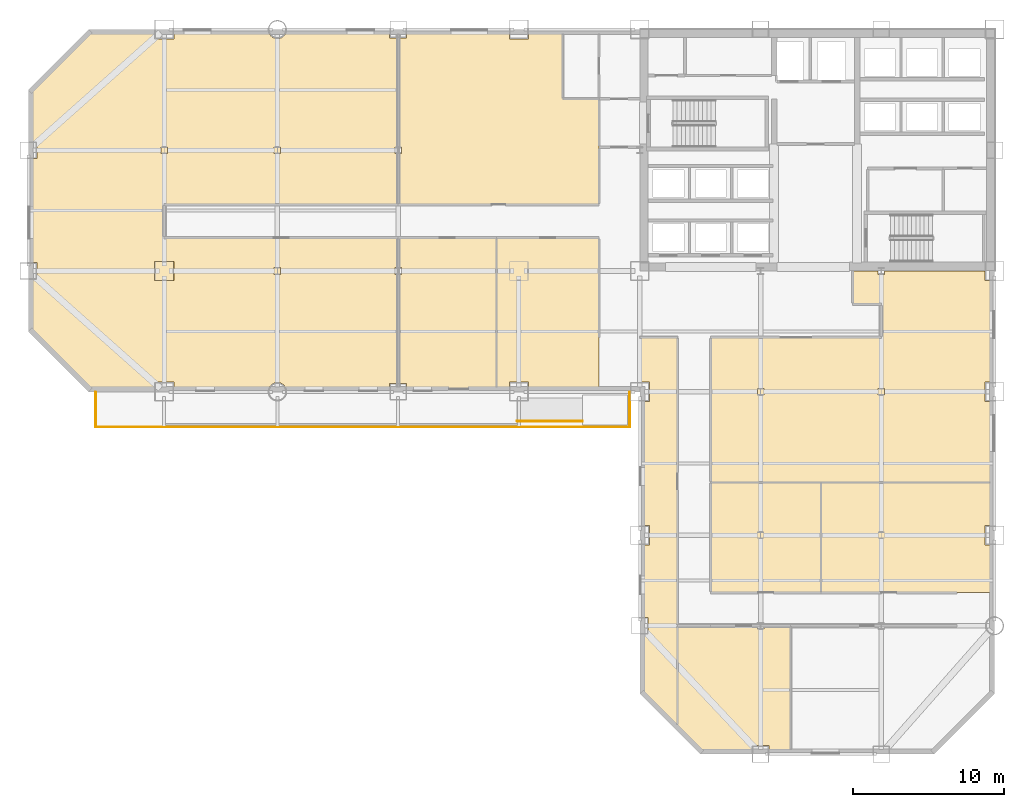
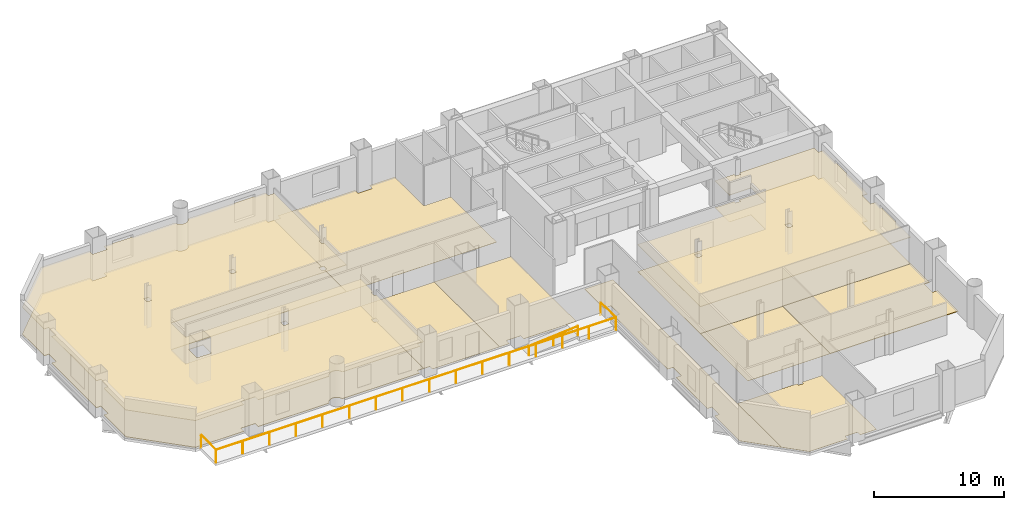
# One storey, part 8 of 9: 11 coverings, 2 railings.
"""IFC4 building model written with IfcOpenShell, lengths in metres."""

from ifc_helpers import new_model, si_unit, direction, frame, origin, origin_2d, place, context, subcontext, project, spatial, polyline, circle, outline, extrude, material, layer, layer_set, type_object, element, save


model = new_model("IFC4")

# Units and contexts
model_context = context("Model", 3, precision=1e-05, world=origin(), true_north=direction((0.0, 1.0)))
body_context = subcontext(model_context, "Body", "Model", "MODEL_VIEW")
ifc_project = project(units=[si_unit("LENGTHUNIT", "METRE"), si_unit("AREAUNIT", "SQUARE_METRE"), si_unit("VOLUMEUNIT", "CUBIC_METRE"), si_unit("PLANEANGLEUNIT", "RADIAN"), si_unit("MASSUNIT", "GRAM", prefix="KILO")], contexts=[model_context])

# Site, building, storey
site_placement = place(None, origin())
site = spatial("IfcSite", under=ifc_project, at=site_placement, CompositionType="ELEMENT")
building_placement = place(site_placement, origin())
building = spatial("IfcBuilding", under=site, at=building_placement, Name="Qianrong Seaharbour Tower", CompositionType="ELEMENT")
storey_placement = place(building_placement, frame((0.0, 0.0, 64.199951171875)))
storey = spatial("IfcBuildingStorey", under=building, at=storey_placement, Name="L15", CompositionType="ELEMENT", Elevation=64.199951171875)

# Coverings
ifc_material_1 = material(Name="Mineral fibre acoustic suspended ceiling board")
ifc_layer_1 = layer(ifc_material_1, 0.0400390625)
ifc_layer_set_1 = layer_set([ifc_layer_1], Name="Mineral fibre acoustic suspended ceiling board")
covering_type_1 = type_object("IfcCoveringType", Name="COV-CEIL-ACOUSTIC-40", PredefinedType="CEILING", material=ifc_layer_set_1)
covering_1_placement = place(storey_placement, frame((0.0, 0.0, 2.510009765625)))
element("IfcCovering", 1, at=covering_1_placement, inside=storey, type_object=covering_type_1, Name="L15 West Harbour Open-Plan Office Acoustic Ceiling", PredefinedType="CEILING", context=body_context, shape_type="SweptSolid", body=[
    extrude(outline(polyline([(0.1650390625, 32.068359375), (0.1650390625, 35.43994140625), (0.56005859375, 35.43994140625), (0.56005859375, 36.56005859375), (0.1650390625, 36.56005859375), (0.1650390625, 43.43994140625), (0.56005859375, 43.43994140625), (0.56005859375, 44.56005859375), (0.1650390625, 44.56005859375), (0.1650390625, 47.931640625), (4.068359375, 51.8349609375), (8.364990234375, 51.8349609375), (8.364990234375, 51.364990234375), (9.635009765625, 51.364990234375), (9.635009765625, 51.8349609375), (15.915771484375, 51.8349609375), (15.936279296875, 51.7666015625), (15.992919921875, 51.6611328125), (16.068603515625, 51.568603515625), (16.1611328125, 51.492919921875), (16.2666015625, 51.436279296875), (16.381103515625, 51.401611328125), (16.5, 51.389892578125), (16.618896484375, 51.401611328125), (16.7333984375, 51.436279296875), (16.8388671875, 51.492919921875), (16.931396484375, 51.568603515625), (17.007080078125, 51.6611328125), (17.063720703125, 51.7666015625), (17.084228515625, 51.8349609375), (23.93994140625, 51.8349609375), (23.93994140625, 51.43994140625), (24.5, 51.43994140625), (24.5, 44.22412109375), (24.28662109375, 44.22412109375), (24.28662109375, 43.77587890625), (24.5, 43.77587890625), (24.5, 40.39990234375), (9.0, 40.39990234375), (9.0, 38.199951171875), (24.5, 38.199951171875), (24.5, 36.22412109375), (24.28662109375, 36.22412109375), (24.28662109375, 35.77587890625), (24.5, 35.77587890625), (24.5, 28.56005859375), (23.93994140625, 28.56005859375), (23.93994140625, 28.1650390625), (17.084228515625, 28.1650390625), (17.063720703125, 28.2333984375), (17.007080078125, 28.3388671875), (16.931396484375, 28.431396484375), (16.8388671875, 28.507080078125), (16.7333984375, 28.563720703125), (16.618896484375, 28.598388671875), (16.5, 28.610107421875), (16.381103515625, 28.598388671875), (16.2666015625, 28.563720703125), (16.1611328125, 28.507080078125), (16.068603515625, 28.431396484375), (15.992919921875, 28.3388671875), (15.936279296875, 28.2333984375), (15.915771484375, 28.1650390625), (9.635009765625, 28.1650390625), (9.635009765625, 28.635009765625), (8.364990234375, 28.635009765625), (8.364990234375, 28.1650390625), (4.068359375, 28.1650390625), (0.1650390625, 32.068359375)]), holes=[polyline([(16.28662109375, 43.77587890625), (16.71337890625, 43.77587890625), (16.71337890625, 44.22412109375), (16.28662109375, 44.22412109375), (16.28662109375, 43.77587890625)]), polyline([(16.71337890625, 35.77587890625), (16.71337890625, 36.22412109375), (16.28662109375, 36.22412109375), (16.28662109375, 35.77587890625), (16.71337890625, 35.77587890625)]), polyline([(8.364990234375, 35.364990234375), (9.635009765625, 35.364990234375), (9.635009765625, 36.635009765625), (8.364990234375, 36.635009765625), (8.364990234375, 35.364990234375)]), polyline([(8.78662109375, 43.77587890625), (9.21337890625, 43.77587890625), (9.21337890625, 44.22412109375), (8.78662109375, 44.22412109375), (8.78662109375, 43.77587890625)])]), origin(), (0.0, 0.0, 1.0), 0.0400390625),
])
ifc_material_2 = material(Name="Perforated acoustic gypsum ceiling board")
ifc_layer_2 = layer(ifc_material_2, 0.050048828125)
ifc_layer_set_2 = layer_set([ifc_layer_2], Name="Perforated acoustic gypsum ceiling board")
covering_type_2 = type_object("IfcCoveringType", Name="COV-CEIL-GYPSUM-50", PredefinedType="CEILING", material=ifc_layer_set_2)
covering_2_placement = place(storey_placement, frame((0.0, 0.0, 2.5)))
element("IfcCovering", 2, at=covering_2_placement, inside=storey, type_object=covering_type_2, Name="L15 Staff Club Assembly Hall Acoustic Ceiling", PredefinedType="CEILING", context=body_context, shape_type="SweptSolid", body=[
    extrude(outline(polyline([(56.5, 31.60009765625), (56.5, 33.800048828125), (54.60009765625, 33.800048828125), (54.60009765625, 36.0), (56.28662109375, 36.0), (56.28662109375, 35.77587890625), (56.71337890625, 35.77587890625), (56.71337890625, 36.0), (63.364990234375, 36.0), (63.364990234375, 35.364990234375), (63.8349609375, 35.364990234375), (63.8349609375, 28.635009765625), (63.364990234375, 28.635009765625), (63.364990234375, 27.364990234375), (63.8349609375, 27.364990234375), (63.8349609375, 22.0), (45.199951171875, 22.0), (45.199951171875, 31.60009765625), (56.5, 31.60009765625)]), holes=[polyline([(56.28662109375, 27.77587890625), (56.71337890625, 27.77587890625), (56.71337890625, 28.22412109375), (56.28662109375, 28.22412109375), (56.28662109375, 27.77587890625)]), polyline([(48.71337890625, 27.77587890625), (48.71337890625, 28.22412109375), (48.28662109375, 28.22412109375), (48.28662109375, 27.77587890625), (48.71337890625, 27.77587890625)])]), origin(), (0.0, 0.0, 1.0), 0.050048828125),
])
ifc_material_3 = material(Name="Acoustic modular carpet tile flooring")
ifc_layer_3 = layer(ifc_material_3, 0.02001953125)
ifc_layer_set_3 = layer_set([ifc_layer_3], Name="Acoustic modular carpet tile flooring")
covering_type_3 = type_object("IfcCoveringType", Name="COV-FLOOR-CARPET-20", PredefinedType="FLOORING", material=ifc_layer_set_3)
covering_3_placement = place(storey_placement, origin())
element("IfcCovering", 3, at=covering_3_placement, inside=storey, type_object=covering_type_3, Name="L15 Corporate Archive Room Finish Flooring", PredefinedType="FLOORING", context=body_context, shape_type="SweptSolid", body=[
    extrude(outline(polyline([(24.5, 43.77587890625), (24.71337890625, 43.77587890625), (24.71337890625, 44.22412109375), (24.5, 44.22412109375), (24.5, 51.43994140625), (25.06005859375, 51.43994140625), (25.06005859375, 51.8349609375), (31.864990234375, 51.8349609375), (31.864990234375, 51.364990234375), (33.135009765625, 51.364990234375), (33.135009765625, 51.8349609375), (35.39990234375, 51.8349609375), (35.39990234375, 47.39990234375), (37.800048828125, 47.39990234375), (37.800048828125, 40.39990234375), (24.5, 40.39990234375), (24.5, 43.77587890625)])), origin(), (0.0, 0.0, 1.0), 0.02001953125),
])
covering_4_placement = place(storey_placement, origin())
element("IfcCovering", 4, at=covering_4_placement, inside=storey, type_object=covering_type_3, Name="L15 Project Library 1 Finish Flooring", PredefinedType="FLOORING", context=body_context, shape_type="SweptSolid", body=[
    extrude(outline(polyline([(31.0, 28.1650390625), (25.06005859375, 28.1650390625), (25.06005859375, 28.56005859375), (24.5, 28.56005859375), (24.5, 35.77587890625), (24.71337890625, 35.77587890625), (24.71337890625, 36.22412109375), (24.5, 36.22412109375), (24.5, 38.199951171875), (31.0, 38.199951171875), (31.0, 28.1650390625)])), origin(), (0.0, 0.0, 1.0), 0.02001953125),
])
covering_5_placement = place(storey_placement, origin())
element("IfcCovering", 5, at=covering_5_placement, inside=storey, type_object=covering_type_3, Name="L15 Digital Media Hall 2 Finish Flooring", PredefinedType="FLOORING", context=body_context, shape_type="SweptSolid", body=[
    extrude(outline(polyline([(37.800048828125, 28.1650390625), (33.135009765625, 28.1650390625), (33.135009765625, 28.635009765625), (31.864990234375, 28.635009765625), (31.864990234375, 28.1650390625), (31.0, 28.1650390625), (31.0, 38.199951171875), (37.800048828125, 38.199951171875), (37.800048828125, 28.1650390625)])), origin(), (0.0, 0.0, 1.0), 0.02001953125),
])
covering_6_placement = place(storey_placement, origin())
element("IfcCovering", 6, at=covering_6_placement, inside=storey, type_object=covering_type_3, Name="L15 Staff Club Assembly Hall Finish Flooring", PredefinedType="FLOORING", context=body_context, shape_type="SweptSolid", body=[
    extrude(outline(polyline([(56.5, 31.60009765625), (56.5, 33.800048828125), (54.60009765625, 33.800048828125), (54.60009765625, 36.0), (56.28662109375, 36.0), (56.28662109375, 35.77587890625), (56.71337890625, 35.77587890625), (56.71337890625, 36.0), (63.364990234375, 36.0), (63.364990234375, 35.364990234375), (63.8349609375, 35.364990234375), (63.8349609375, 28.635009765625), (63.364990234375, 28.635009765625), (63.364990234375, 27.364990234375), (63.8349609375, 27.364990234375), (63.8349609375, 22.0), (45.199951171875, 22.0), (45.199951171875, 31.60009765625), (56.5, 31.60009765625)])), origin(), (0.0, 0.0, 1.0), 0.02001953125),
])
covering_7_placement = place(storey_placement, origin())
element("IfcCovering", 7, at=covering_7_placement, inside=storey, type_object=covering_type_3, Name="L15 Focus Room 1 Finish Flooring", PredefinedType="FLOORING", context=body_context, shape_type="SweptSolid", body=[
    extrude(outline(polyline([(52.5, 22.0), (52.5, 14.699951171875), (45.199951171875, 14.699951171875), (45.199951171875, 22.0), (52.5, 22.0)])), origin(), (0.0, 0.0, 1.0), 0.02001953125),
])
covering_8_placement = place(storey_placement, origin())
element("IfcCovering", 8, at=covering_8_placement, inside=storey, type_object=covering_type_3, Name="L15 Wet Pantry Finish Flooring", PredefinedType="FLOORING", context=body_context, shape_type="SweptSolid", body=[
    extrude(outline(polyline([(43.0, 5.7333984375), (40.6650390625, 8.068359375), (40.6650390625, 11.93994140625), (41.06005859375, 11.93994140625), (41.06005859375, 13.06005859375), (40.6650390625, 13.06005859375), (40.6650390625, 17.864990234375), (41.135009765625, 17.864990234375), (41.135009765625, 19.135009765625), (40.6650390625, 19.135009765625), (40.6650390625, 27.364990234375), (41.135009765625, 27.364990234375), (41.135009765625, 28.635009765625), (40.5, 28.635009765625), (40.5, 31.60009765625), (43.0, 31.60009765625), (43.0, 5.7333984375)])), origin(), (0.0, 0.0, 1.0), 0.02001953125),
])
covering_9_placement = place(storey_placement, origin())
element("IfcCovering", 9, at=covering_9_placement, inside=storey, type_object=covering_type_3, Name="L15 Harbour Symposium Hall 1 Finish Flooring", PredefinedType="FLOORING", context=body_context, shape_type="SweptSolid", body=[
    extrude(outline(polyline([(50.5, 4.1650390625), (49.06005859375, 4.1650390625), (49.06005859375, 4.56005859375), (47.93994140625, 4.56005859375), (47.93994140625, 4.1650390625), (44.568359375, 4.1650390625), (43.0, 5.7333984375), (43.0, 12.5), (48.28662109375, 12.5), (48.28662109375, 12.27587890625), (48.71337890625, 12.27587890625), (48.71337890625, 12.5), (50.5, 12.5), (50.5, 4.1650390625)])), origin(), (0.0, 0.0, 1.0), 0.02001953125),
])
ifc_material_4 = material(Name="Calcium-sulphate raised access floor tile")
ifc_layer_4 = layer(ifc_material_4, 0.044921875)
ifc_layer_set_4 = layer_set([ifc_layer_4], Name="Calcium-sulphate raised access floor tile")
covering_type_4 = type_object("IfcCoveringType", Name="COV-FLOOR-RAISED-45", PredefinedType="FLOORING", material=ifc_layer_set_4)
covering_10_placement = place(storey_placement, origin())
element("IfcCovering", 10, at=covering_10_placement, inside=storey, type_object=covering_type_4, Name="L15 West Harbour Open-Plan Office Finish Flooring", PredefinedType="FLOORING", context=body_context, shape_type="SweptSolid", body=[
    extrude(outline(polyline([(0.1650390625, 32.068359375), (0.1650390625, 35.43994140625), (0.56005859375, 35.43994140625), (0.56005859375, 36.56005859375), (0.1650390625, 36.56005859375), (0.1650390625, 43.43994140625), (0.56005859375, 43.43994140625), (0.56005859375, 44.56005859375), (0.1650390625, 44.56005859375), (0.1650390625, 47.931640625), (4.068359375, 51.8349609375), (8.364990234375, 51.8349609375), (8.364990234375, 51.364990234375), (9.635009765625, 51.364990234375), (9.635009765625, 51.8349609375), (15.915771484375, 51.8349609375), (15.936279296875, 51.7666015625), (15.992919921875, 51.6611328125), (16.068603515625, 51.568603515625), (16.1611328125, 51.492919921875), (16.2666015625, 51.436279296875), (16.381103515625, 51.401611328125), (16.5, 51.389892578125), (16.618896484375, 51.401611328125), (16.7333984375, 51.436279296875), (16.8388671875, 51.492919921875), (16.931396484375, 51.568603515625), (17.007080078125, 51.6611328125), (17.063720703125, 51.7666015625), (17.084228515625, 51.8349609375), (23.93994140625, 51.8349609375), (23.93994140625, 51.43994140625), (24.5, 51.43994140625), (24.5, 44.22412109375), (24.28662109375, 44.22412109375), (24.28662109375, 43.77587890625), (24.5, 43.77587890625), (24.5, 40.39990234375), (9.0, 40.39990234375), (9.0, 38.199951171875), (24.5, 38.199951171875), (24.5, 36.22412109375), (24.28662109375, 36.22412109375), (24.28662109375, 35.77587890625), (24.5, 35.77587890625), (24.5, 28.56005859375), (23.93994140625, 28.56005859375), (23.93994140625, 28.1650390625), (17.084228515625, 28.1650390625), (17.063720703125, 28.2333984375), (17.007080078125, 28.3388671875), (16.931396484375, 28.431396484375), (16.8388671875, 28.507080078125), (16.7333984375, 28.563720703125), (16.618896484375, 28.598388671875), (16.5, 28.610107421875), (16.381103515625, 28.598388671875), (16.2666015625, 28.563720703125), (16.1611328125, 28.507080078125), (16.068603515625, 28.431396484375), (15.992919921875, 28.3388671875), (15.936279296875, 28.2333984375), (15.915771484375, 28.1650390625), (9.635009765625, 28.1650390625), (9.635009765625, 28.635009765625), (8.364990234375, 28.635009765625), (8.364990234375, 28.1650390625), (4.068359375, 28.1650390625), (0.1650390625, 32.068359375)])), origin(), (0.0, 0.0, 1.0), 0.045166015625),
])
covering_11_placement = place(storey_placement, origin())
element("IfcCovering", 11, at=covering_11_placement, inside=storey, type_object=covering_type_4, Name="L15 Executive Office 2 Finish Flooring", PredefinedType="FLOORING", context=body_context, shape_type="SweptSolid", body=[
    extrude(outline(polyline([(63.8349609375, 22.0), (63.8349609375, 19.135009765625), (63.364990234375, 19.135009765625), (63.364990234375, 17.864990234375), (63.8349609375, 17.864990234375), (63.8349609375, 14.699951171875), (52.5, 14.699951171875), (52.5, 22.0), (63.8349609375, 22.0)])), origin(), (0.0, 0.0, 1.0), 0.045166015625),
])

# Railings
ifc_material_5 = material(Name="Stainless steel SUS316L tubular handrail", Category="steel")
railing_type_1 = type_object("IfcRailingType", Name="RAIL-RAMP-HANDRAIL-900", PredefinedType="HANDRAIL", material=ifc_material_5)
railing_1_placement = place(storey_placement, frame((32.3798828125, 26.050048828125, 0.0)))
element("IfcRailing", 12, at=railing_1_placement, inside=storey, type_object=railing_type_1, Name="L15 Harbourfront Ribbon Ramp Handrail", PredefinedType="HANDRAIL", context=body_context, shape_type="SweptSolid", body=[
    extrude(circle(Radius=0.02392578125, at=origin_2d()), frame((0.0, 0.0, 0.8759765625), z_axis=(0.996543815979, 0.0, 0.083068783756), x_axis=(0.0, 1.0, 0.0)), (0.0, 0.0, 1.0), 4.3349609375),
    extrude(circle(Radius=0.02099609375, at=origin_2d()), origin(), (0.0, 0.0, 1.0), 0.851806640625),
    extrude(circle(Radius=0.02099609375, at=origin_2d()), frame((2.16015625, 0.0, 0.18017578125)), (0.0, 0.0, 1.0), 0.851806640625),
    extrude(circle(Radius=0.02099609375, at=origin_2d()), frame((4.320068359375, 0.0, 0.360107421875)), (0.0, 0.0, 1.0), 0.851806640625),
])
ifc_material_6 = material(Name="Stainless steel SUS316L and laminated safety glass balustrade", Category="steel")
railing_type_2 = type_object("IfcRailingType", Name="RAIL-TERRACE-GUARD-1220", PredefinedType="GUARDRAIL", material=ifc_material_6)
railing_2_placement = place(storey_placement, frame((4.4599609375, 27.97998046875, 0.0)))
element("IfcRailing", 13, at=railing_2_placement, inside=storey, type_object=railing_type_2, Name="L15 Harbourfront Ribbon Gallery Guardrail", PredefinedType="GUARDRAIL", context=body_context, shape_type="SweptSolid", body=[
    extrude(circle(Radius=0.02392578125, at=origin_2d()), frame((0.0, 0.0, 1.19580078125), z_axis=(0.0, -1.0, 0.0), x_axis=(1.0, 0.0, 0.0)), (0.0, 0.0, 1.0), 2.320068359375),
    extrude(circle(Radius=0.02392578125, at=origin_2d()), frame((0.0, -2.320068359375, 1.19580078125), z_axis=(1.0, 0.0, 0.0), x_axis=(0.0, 1.0, 0.0)), (0.0, 0.0, 1.0), 35.380126953125),
    extrude(circle(Radius=0.02392578125, at=origin_2d()), frame((35.380126953125, -2.320068359375, 1.19580078125), z_axis=(0.0, 1.0, 0.0), x_axis=(-1.0, 0.0, 0.0)), (0.0, 0.0, 1.0), 2.320068359375),
    extrude(circle(Radius=0.02099609375, at=origin_2d()), origin(), (0.0, 0.0, 1.0), 1.171875),
    extrude(circle(Radius=0.02099609375, at=origin_2d()), frame((0.0, -2.320068359375, 0.0)), (0.0, 0.0, 1.0), 1.171875),
    extrude(circle(Radius=0.02099609375, at=origin_2d()), frame((2.358642578125, -2.320068359375, 0.0)), (0.0, 0.0, 1.0), 1.171875),
    extrude(circle(Radius=0.02099609375, at=origin_2d()), frame((4.71728515625, -2.320068359375, 0.0)), (0.0, 0.0, 1.0), 1.171875),
    extrude(circle(Radius=0.02099609375, at=origin_2d()), frame((7.075927734375, -2.320068359375, 0.0)), (0.0, 0.0, 1.0), 1.171875),
    extrude(circle(Radius=0.02099609375, at=origin_2d()), frame((9.434814453125, -2.320068359375, 0.0)), (0.0, 0.0, 1.0), 1.171875),
    extrude(circle(Radius=0.02099609375, at=origin_2d()), frame((11.79345703125, -2.320068359375, 0.0)), (0.0, 0.0, 1.0), 1.171875),
    extrude(circle(Radius=0.02099609375, at=origin_2d()), frame((14.152099609375, -2.320068359375, 0.0)), (0.0, 0.0, 1.0), 1.171875),
    extrude(circle(Radius=0.02099609375, at=origin_2d()), frame((16.5107421875, -2.320068359375, 0.0)), (0.0, 0.0, 1.0), 1.171875),
    extrude(circle(Radius=0.02099609375, at=origin_2d()), frame((18.869384765625, -2.320068359375, 0.0)), (0.0, 0.0, 1.0), 1.171875),
    extrude(circle(Radius=0.02099609375, at=origin_2d()), frame((21.22802734375, -2.320068359375, 0.0)), (0.0, 0.0, 1.0), 1.171875),
    extrude(circle(Radius=0.02099609375, at=origin_2d()), frame((23.586669921875, -2.320068359375, 0.0)), (0.0, 0.0, 1.0), 1.171875),
    extrude(circle(Radius=0.02099609375, at=origin_2d()), frame((25.9453125, -2.320068359375, 0.0)), (0.0, 0.0, 1.0), 1.171875),
    extrude(circle(Radius=0.02099609375, at=origin_2d()), frame((28.30419921875, -2.320068359375, 0.0)), (0.0, 0.0, 1.0), 1.171875),
    extrude(circle(Radius=0.02099609375, at=origin_2d()), frame((30.662841796875, -2.320068359375, 0.0)), (0.0, 0.0, 1.0), 1.171875),
    extrude(circle(Radius=0.02099609375, at=origin_2d()), frame((33.021484375, -2.320068359375, 0.0)), (0.0, 0.0, 1.0), 1.171875),
    extrude(circle(Radius=0.02099609375, at=origin_2d()), frame((35.380126953125, -2.320068359375, 0.0)), (0.0, 0.0, 1.0), 1.171875),
    extrude(circle(Radius=0.02099609375, at=origin_2d()), frame((35.380126953125, 0.0, 0.0)), (0.0, 0.0, 1.0), 1.171875),
])

save(model, "model.ifc")
